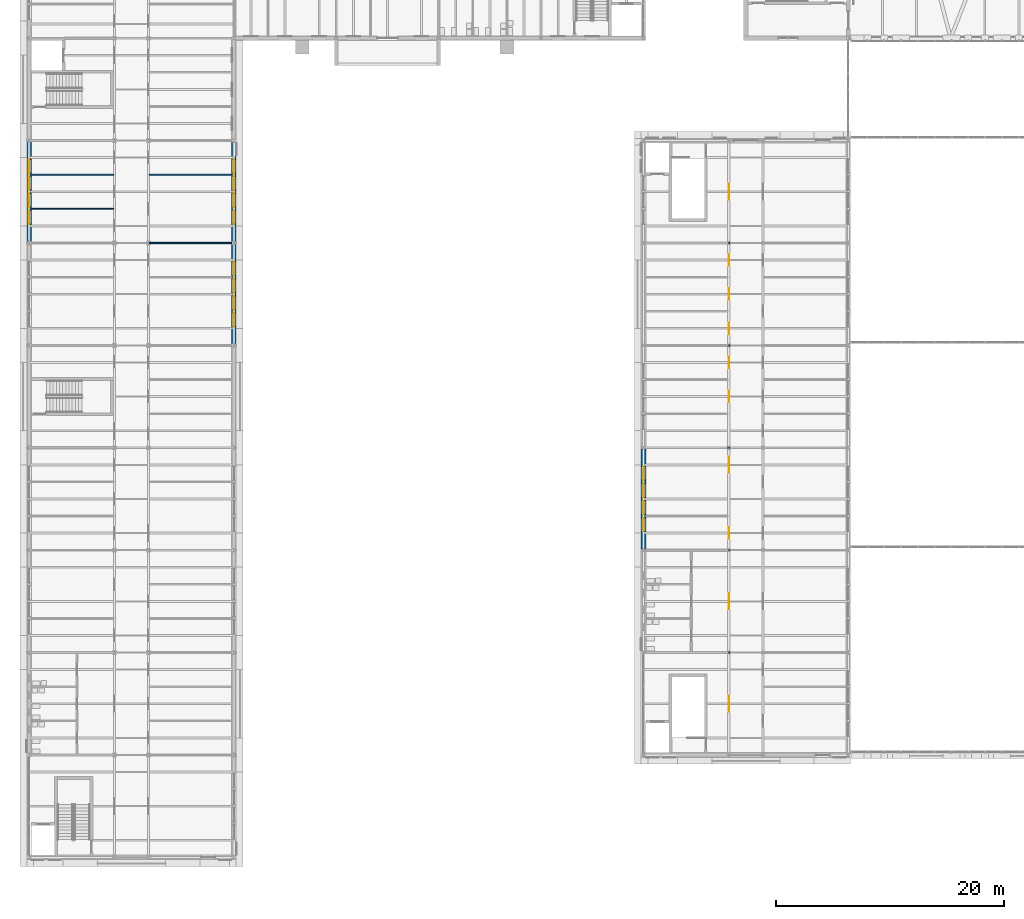
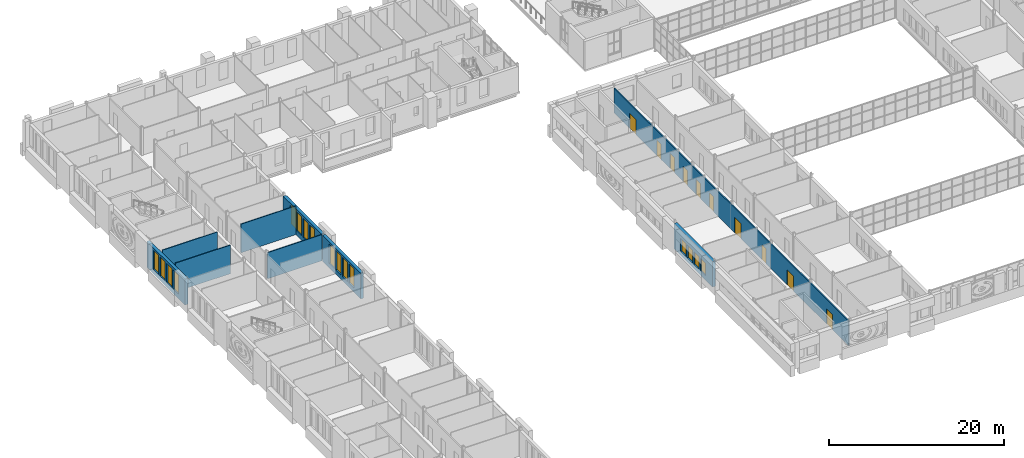
# One storey, part 103 of 154: 16 windows, 10 doors, 9 walls, 26 openings.
"""IFC4 building model written with IfcOpenShell, lengths in metres."""

from ifc_helpers import new_model, si_unit, direction, frame, frame_2d, origin, place, context, subcontext, project, spatial, rectangle, extrude, material, layer, layer_set, type_object, element, fill, save


model = new_model("IFC4")

# Units and contexts
model_context = context("Model", 3, precision=1e-05, world=origin(), true_north=direction((0.0, 1.0)))
body_context = subcontext(model_context, "Body", "Model", "MODEL_VIEW")
ifc_project = project(units=[si_unit("LENGTHUNIT", "METRE"), si_unit("AREAUNIT", "SQUARE_METRE"), si_unit("VOLUMEUNIT", "CUBIC_METRE"), si_unit("PLANEANGLEUNIT", "RADIAN"), si_unit("MASSUNIT", "GRAM", prefix="KILO")], contexts=[model_context])

# Site, building, storey
site_placement = place(None, origin())
site = spatial("IfcSite", under=ifc_project, at=site_placement, CompositionType="ELEMENT")
building_placement = place(site_placement, origin())
building = spatial("IfcBuilding", under=site, at=building_placement, Name="Golden Quay Civic Hall", CompositionType="ELEMENT")
storey_placement = place(building_placement, frame((0.0, 0.0, 14.39990234375)))
storey = spatial("IfcBuildingStorey", under=building, at=storey_placement, Name="L03", CompositionType="ELEMENT", Elevation=14.39990234375)

# Walls
ifc_material_1 = material(Name="Plasterboard on steel studs", Category="steel")
ifc_layer_1 = layer(ifc_material_1, 0.10009765625)
ifc_layer_set_1 = layer_set([ifc_layer_1], Name="Partition 100 stud")
wall_type_1 = type_object("IfcWallType", Name="Partition 100 stud", PredefinedType="PARTITIONING", material=ifc_layer_set_1)
for number, where, z_axis, x_axis, name in (
    (1, (0.199951171875, 48.0, 0.0), (0.0, 0.0, 1.0), (1.0, 0.0, 0.0), "Partition L03-009"),
    (2, (0.199951171875, 51.0, 0.0), (0.0, 0.0, 1.0), (1.0, 0.0, 0.0), "Partition L03-010"),
):
    element("IfcWall", number, at=place(storey_placement, frame(where, z_axis=z_axis, x_axis=x_axis)), inside=storey, type_object=wall_type_1, Name=name, PredefinedType="PARTITIONING", context=body_context, shape_type="SweptSolid", body=[
        extrude(rectangle(XDim=7.22509765625, YDim=0.10009765625, at=frame_2d((3.612548828125, 0.0))), origin(), (0.0, 0.0, 1.0), 4.0),
    ])
wall_1_placement = place(storey_placement, frame((10.574951171875, 45.0, 0.0), z_axis=(0.0, 0.0, 1.0), x_axis=(1.0, 0.0, 0.0)))
element("IfcWall", 3, at=wall_1_placement, inside=storey, type_object=wall_type_1, Name="Partition L03-023", PredefinedType="PARTITIONING", context=body_context, shape_type="SweptSolid", body=[
    extrude(rectangle(XDim=7.22509765625, YDim=0.10009765625, at=frame_2d((3.612548828125, 0.0))), origin(), (0.0, 0.0, 1.0), 3.650146484375),
])
wall_2_placement = place(storey_placement, frame((10.574951171875, 51.0, 0.0), z_axis=(0.0, 0.0, 1.0), x_axis=(1.0, 0.0, 0.0)))
element("IfcWall", 4, at=wall_2_placement, inside=storey, type_object=wall_type_1, Name="Partition L03-024", PredefinedType="PARTITIONING", context=body_context, shape_type="SweptSolid", body=[
    extrude(rectangle(XDim=7.22509765625, YDim=0.10009765625, at=frame_2d((3.612548828125, 0.0))), origin(), (0.0, 0.0, 1.0), 4.0),
])

# Wall, openings, doors
ifc_material_2 = material(Name="Plasterboard on steel studs", Category="steel")
ifc_layer_2 = layer(ifc_material_2, 0.14990234375)
ifc_layer_set_2 = layer_set([ifc_layer_2], Name="Partition 150 stud fire EI 60")
wall_type_2 = type_object("IfcWallType", Name="Partition 150 stud fire EI 60", PredefinedType="PARTITIONING", material=ifc_layer_set_2)
wall_3_placement = place(storey_placement, frame((61.5, 0.199951171875, 0.0), z_axis=(0.0, 0.0, 1.0), x_axis=(0.0, 1.0, 0.0)))
wall_3 = element("IfcWall", 5, at=wall_3_placement, inside=storey, type_object=wall_type_2, Name="Partition L03-019", PredefinedType="PARTITIONING", context=body_context, shape_type="SweptSolid", body=[
    extrude(rectangle(XDim=53.60009765625, YDim=0.14990234375, at=frame_2d((26.800048828125, 0.0))), origin(), (0.0, 0.0, 1.0), 3.43017578125),
])
opening_1_placement = place(wall_3_placement, frame((18.800048828125, 0.0, 0.0)))
opening_1 = element("IfcOpeningElement", 6, at=opening_1_placement, cuts=wall_3, Name="Opening L03-D075", PredefinedType="OPENING", context=body_context, shape_type="SweptSolid", body=[
    extrude(rectangle(XDim=1.0, YDim=2.10009765625, at=frame_2d((0.5, 1.050048828125))), frame((0.0, 0.0849609375, 0.0), z_axis=(0.0, -1.0, 0.0), x_axis=(1.0, 0.0, 0.0)), (0.0, 0.0, 1.0), 0.169921875),
])
opening_2_placement = place(wall_3_placement, frame((24.60009765625, 0.0, 0.0)))
opening_2 = element("IfcOpeningElement", 7, at=opening_2_placement, cuts=wall_3, Name="Opening L03-D076", PredefinedType="OPENING", context=body_context, shape_type="SweptSolid", body=[
    extrude(rectangle(XDim=1.39990234375, YDim=2.10009765625, at=frame_2d((0.699951171875, 1.050048828125))), frame((0.0, 0.0849609375, 0.0), z_axis=(0.0, -1.0, 0.0), x_axis=(1.0, 0.0, 0.0)), (0.0, 0.0, 1.0), 0.169921875),
])
opening_3_placement = place(wall_3_placement, frame((30.800048828125, 0.0, 0.0)))
opening_3 = element("IfcOpeningElement", 8, at=opening_3_placement, cuts=wall_3, Name="Opening L03-D077", PredefinedType="OPENING", context=body_context, shape_type="SweptSolid", body=[
    extrude(rectangle(XDim=1.0, YDim=2.10009765625, at=frame_2d((0.5, 1.050048828125))), frame((0.0, 0.0849609375, 0.0), z_axis=(0.0, -1.0, 0.0), x_axis=(1.0, 0.0, 0.0)), (0.0, 0.0, 1.0), 0.169921875),
])
opening_4_placement = place(wall_3_placement, frame((33.800048828125, 0.0, 0.0)))
opening_4 = element("IfcOpeningElement", 9, at=opening_4_placement, cuts=wall_3, Name="Opening L03-D078", PredefinedType="OPENING", context=body_context, shape_type="SweptSolid", body=[
    extrude(rectangle(XDim=1.0, YDim=2.10009765625, at=frame_2d((0.5, 1.050048828125))), frame((0.0, 0.0849609375, 0.0), z_axis=(0.0, -1.0, 0.0), x_axis=(1.0, 0.0, 0.0)), (0.0, 0.0, 1.0), 0.169921875),
])
opening_5_placement = place(wall_3_placement, frame((36.800048828125, 0.0, 0.0)))
opening_5 = element("IfcOpeningElement", 10, at=opening_5_placement, cuts=wall_3, Name="Opening L03-D079", PredefinedType="OPENING", context=body_context, shape_type="SweptSolid", body=[
    extrude(rectangle(XDim=1.0, YDim=2.10009765625, at=frame_2d((0.5, 1.050048828125))), frame((0.0, 0.0849609375, 0.0), z_axis=(0.0, -1.0, 0.0), x_axis=(1.0, 0.0, 0.0)), (0.0, 0.0, 1.0), 0.169921875),
])
opening_6_placement = place(wall_3_placement, frame((39.800048828125, 0.0, 0.0)))
opening_6 = element("IfcOpeningElement", 11, at=opening_6_placement, cuts=wall_3, Name="Opening L03-D080", PredefinedType="OPENING", context=body_context, shape_type="SweptSolid", body=[
    extrude(rectangle(XDim=1.0, YDim=2.10009765625, at=frame_2d((0.5, 1.050048828125))), frame((0.0, 0.0849609375, 0.0), z_axis=(0.0, -1.0, 0.0), x_axis=(1.0, 0.0, 0.0)), (0.0, 0.0, 1.0), 0.169921875),
])
opening_7_placement = place(wall_3_placement, frame((42.800048828125, 0.0, 0.0)))
opening_7 = element("IfcOpeningElement", 12, at=opening_7_placement, cuts=wall_3, Name="Opening L03-D081", PredefinedType="OPENING", context=body_context, shape_type="SweptSolid", body=[
    extrude(rectangle(XDim=1.0, YDim=2.10009765625, at=frame_2d((0.5, 1.050048828125))), frame((0.0, 0.0849609375, 0.0), z_axis=(0.0, -1.0, 0.0), x_axis=(1.0, 0.0, 0.0)), (0.0, 0.0, 1.0), 0.169921875),
])
opening_8_placement = place(wall_3_placement, frame((12.60009765625, 0.0, 0.0)))
opening_8 = element("IfcOpeningElement", 13, at=opening_8_placement, cuts=wall_3, Name="Opening L03-D093", PredefinedType="OPENING", context=body_context, shape_type="SweptSolid", body=[
    extrude(rectangle(XDim=1.39990234375, YDim=2.10009765625, at=frame_2d((0.699951171875, 1.050048828125))), frame((0.0, 0.0849609375, 0.0), z_axis=(0.0, -1.0, 0.0), x_axis=(1.0, 0.0, 0.0)), (0.0, 0.0, 1.0), 0.169921875),
])
opening_9_placement = place(wall_3_placement, frame((3.60009765625, 0.0, 0.0)))
opening_9 = element("IfcOpeningElement", 14, at=opening_9_placement, cuts=wall_3, Name="Opening L03-D098", PredefinedType="OPENING", context=body_context, shape_type="SweptSolid", body=[
    extrude(rectangle(XDim=1.39990234375, YDim=2.10009765625, at=frame_2d((0.699951171875, 1.050048828125))), frame((0.0, 0.0849609375, 0.0), z_axis=(0.0, -1.0, 0.0), x_axis=(1.0, 0.0, 0.0)), (0.0, 0.0, 1.0), 0.169921875),
])
opening_10_placement = place(wall_3_placement, frame((48.60009765625, 0.0, 0.0)))
opening_10 = element("IfcOpeningElement", 15, at=opening_10_placement, cuts=wall_3, Name="Opening L03-D100", PredefinedType="OPENING", context=body_context, shape_type="SweptSolid", body=[
    extrude(rectangle(XDim=1.39990234375, YDim=2.10009765625, at=frame_2d((0.699951171875, 1.050048828125))), frame((0.0, 0.0849609375, 0.0), z_axis=(0.0, -1.0, 0.0), x_axis=(1.0, 0.0, 0.0)), (0.0, 0.0, 1.0), 0.169921875),
])
ifc_material_3 = material(Name="Steel", Category="steel")
door_type_1 = type_object("IfcDoorType", Name="Steel double fire door FD30S 1400 x 2100", OperationType="DOUBLE_DOOR_SINGLE_SWING", PredefinedType="DOOR", material=ifc_material_3)
door_1_placement = place(opening_2_placement, origin())
door_1 = element("IfcDoor", 16, at=door_1_placement, inside=storey, type_object=door_type_1, Name="Door L03-D076", OperationType="DOUBLE_DOOR_SINGLE_SWING", OverallHeight=2.10009765625, OverallWidth=1.39990234375, PredefinedType="DOOR", context=body_context, shape_type="SweptSolid", body=[
    extrude(rectangle(XDim=1.39990234375, YDim=2.10009765625, at=frame_2d((0.699951171875, 1.050048828125))), frame((0.0, 0.02490234375, 0.0), z_axis=(0.0, -1.0, 0.0), x_axis=(1.0, 0.0, 0.0)), (0.0, 0.0, 1.0), 0.050048828125),
])
fill(opening_2, door_1)
door_2_placement = place(opening_8_placement, origin())
door_2 = element("IfcDoor", 17, at=door_2_placement, inside=storey, type_object=door_type_1, Name="Door L03-D093", OperationType="DOUBLE_DOOR_SINGLE_SWING", OverallHeight=2.10009765625, OverallWidth=1.39990234375, PredefinedType="DOOR", context=body_context, shape_type="SweptSolid", body=[
    extrude(rectangle(XDim=1.39990234375, YDim=2.10009765625, at=frame_2d((0.699951171875, 1.050048828125))), frame((0.0, 0.02490234375, 0.0), z_axis=(0.0, -1.0, 0.0), x_axis=(1.0, 0.0, 0.0)), (0.0, 0.0, 1.0), 0.050048828125),
])
fill(opening_8, door_2)
door_3_placement = place(opening_9_placement, frame((1.39990234375, 0.0, 0.0), z_axis=(0.0, 0.0, 1.0), x_axis=(-1.0, 0.0, 0.0)))
door_3 = element("IfcDoor", 18, at=door_3_placement, inside=storey, type_object=door_type_1, Name="Door L03-D098", OperationType="DOUBLE_DOOR_SINGLE_SWING", OverallHeight=2.10009765625, OverallWidth=1.39990234375, PredefinedType="DOOR", context=body_context, shape_type="SweptSolid", body=[
    extrude(rectangle(XDim=1.39990234375, YDim=2.10009765625, at=frame_2d((0.699951171875, 1.050048828125))), frame((0.0, 0.025146484375, 0.0), z_axis=(0.0, -1.0, 0.0), x_axis=(1.0, 0.0, 0.0)), (0.0, 0.0, 1.0), 0.050048828125),
])
fill(opening_9, door_3)
door_4_placement = place(opening_10_placement, frame((1.39990234375, 0.0, 0.0), z_axis=(0.0, 0.0, 1.0), x_axis=(-1.0, 0.0, 0.0)))
door_4 = element("IfcDoor", 19, at=door_4_placement, inside=storey, type_object=door_type_1, Name="Door L03-D100", OperationType="DOUBLE_DOOR_SINGLE_SWING", OverallHeight=2.10009765625, OverallWidth=1.39990234375, PredefinedType="DOOR", context=body_context, shape_type="SweptSolid", body=[
    extrude(rectangle(XDim=1.39990234375, YDim=2.10009765625, at=frame_2d((0.699951171875, 1.050048828125))), frame((0.0, 0.025146484375, 0.0), z_axis=(0.0, -1.0, 0.0), x_axis=(1.0, 0.0, 0.0)), (0.0, 0.0, 1.0), 0.050048828125),
])
fill(opening_10, door_4)
ifc_material_4 = material(Name="Steel", Category="steel")
door_type_2 = type_object("IfcDoorType", Name="Steel fire door FD30S 1000 x 2100", OperationType="SINGLE_SWING_LEFT", PredefinedType="DOOR", material=ifc_material_4)
door_5_placement = place(opening_1_placement, origin())
door_5 = element("IfcDoor", 20, at=door_5_placement, inside=storey, type_object=door_type_2, Name="Door L03-D075", OperationType="SINGLE_SWING_LEFT", OverallHeight=2.10009765625, OverallWidth=1.0, PredefinedType="DOOR", context=body_context, shape_type="SweptSolid", body=[
    extrude(rectangle(XDim=1.0, YDim=2.10009765625, at=frame_2d((0.5, 1.050048828125))), frame((0.0, 0.02490234375, 0.0), z_axis=(0.0, -1.0, 0.0), x_axis=(1.0, 0.0, 0.0)), (0.0, 0.0, 1.0), 0.050048828125),
])
fill(opening_1, door_5)
door_6_placement = place(opening_3_placement, origin())
door_6 = element("IfcDoor", 21, at=door_6_placement, inside=storey, type_object=door_type_2, Name="Door L03-D077", OperationType="SINGLE_SWING_LEFT", OverallHeight=2.10009765625, OverallWidth=1.0, PredefinedType="DOOR", context=body_context, shape_type="SweptSolid", body=[
    extrude(rectangle(XDim=1.0, YDim=2.10009765625, at=frame_2d((0.5, 1.050048828125))), frame((0.0, 0.02490234375, 0.0), z_axis=(0.0, -1.0, 0.0), x_axis=(1.0, 0.0, 0.0)), (0.0, 0.0, 1.0), 0.050048828125),
])
fill(opening_3, door_6)
door_7_placement = place(opening_4_placement, origin())
door_7 = element("IfcDoor", 22, at=door_7_placement, inside=storey, type_object=door_type_2, Name="Door L03-D078", OperationType="SINGLE_SWING_LEFT", OverallHeight=2.10009765625, OverallWidth=1.0, PredefinedType="DOOR", context=body_context, shape_type="SweptSolid", body=[
    extrude(rectangle(XDim=1.0, YDim=2.10009765625, at=frame_2d((0.5, 1.050048828125))), frame((0.0, 0.02490234375, 0.0), z_axis=(0.0, -1.0, 0.0), x_axis=(1.0, 0.0, 0.0)), (0.0, 0.0, 1.0), 0.050048828125),
])
fill(opening_4, door_7)
door_8_placement = place(opening_5_placement, origin())
door_8 = element("IfcDoor", 23, at=door_8_placement, inside=storey, type_object=door_type_2, Name="Door L03-D079", OperationType="SINGLE_SWING_LEFT", OverallHeight=2.10009765625, OverallWidth=1.0, PredefinedType="DOOR", context=body_context, shape_type="SweptSolid", body=[
    extrude(rectangle(XDim=1.0, YDim=2.10009765625, at=frame_2d((0.5, 1.050048828125))), frame((0.0, 0.02490234375, 0.0), z_axis=(0.0, -1.0, 0.0), x_axis=(1.0, 0.0, 0.0)), (0.0, 0.0, 1.0), 0.050048828125),
])
fill(opening_5, door_8)
door_9_placement = place(opening_6_placement, origin())
door_9 = element("IfcDoor", 24, at=door_9_placement, inside=storey, type_object=door_type_2, Name="Door L03-D080", OperationType="SINGLE_SWING_LEFT", OverallHeight=2.10009765625, OverallWidth=1.0, PredefinedType="DOOR", context=body_context, shape_type="SweptSolid", body=[
    extrude(rectangle(XDim=1.0, YDim=2.10009765625, at=frame_2d((0.5, 1.050048828125))), frame((0.0, 0.02490234375, 0.0), z_axis=(0.0, -1.0, 0.0), x_axis=(1.0, 0.0, 0.0)), (0.0, 0.0, 1.0), 0.050048828125),
])
fill(opening_6, door_9)
door_10_placement = place(opening_7_placement, origin())
door_10 = element("IfcDoor", 25, at=door_10_placement, inside=storey, type_object=door_type_2, Name="Door L03-D081", OperationType="SINGLE_SWING_LEFT", OverallHeight=2.10009765625, OverallWidth=1.0, PredefinedType="DOOR", context=body_context, shape_type="SweptSolid", body=[
    extrude(rectangle(XDim=1.0, YDim=2.10009765625, at=frame_2d((0.5, 1.050048828125))), frame((0.0, 0.02490234375, 0.0), z_axis=(0.0, -1.0, 0.0), x_axis=(1.0, 0.0, 0.0)), (0.0, 0.0, 1.0), 0.050048828125),
])
fill(opening_7, door_10)

# Wall, openings, windows
ifc_material_5 = material(Name="Clay block, rendered, cream")
ifc_layer_3 = layer(ifc_material_5, 0.39990234375)
ifc_layer_set_3 = layer_set([ifc_layer_3], Name="Rendered block external wall 400")
wall_type_3 = type_object("IfcWallType", Name="Rendered block external wall 400", PredefinedType="STANDARD", material=ifc_layer_set_3)
wall_4_placement = place(storey_placement, frame((0.0, 45.135009765625, 0.0), z_axis=(0.0, 0.0, 1.0), x_axis=(0.0, 1.0, 0.0)))
wall_4 = element("IfcWall", 26, at=wall_4_placement, inside=storey, type_object=wall_type_3, Name="Rendered block external wall 400 L03 5", PredefinedType="STANDARD", context=body_context, shape_type="SweptSolid", body=[
    extrude(rectangle(XDim=8.72998046875, YDim=0.39990234375, at=frame_2d((4.364990234375, 0.0))), origin(), (0.0, 0.0, 1.0), 3.60009765625),
])
opening_11_placement = place(wall_4_placement, frame((1.514892578125, 0.0, 0.60009765625)))
opening_11 = element("IfcOpeningElement", 27, at=opening_11_placement, cuts=wall_4, Name="Opening WN8", PredefinedType="OPENING", context=body_context, shape_type="SweptSolid", body=[
    extrude(rectangle(XDim=1.199951171875, YDim=2.699951171875, at=frame_2d((0.60009765625, 1.35009765625))), frame((0.0, 0.2099609375, 0.0), z_axis=(0.0, -1.0, 0.0), x_axis=(1.0, 0.0, 0.0)), (0.0, 0.0, 1.0), 0.419921875),
])
opening_12_placement = place(wall_4_placement, frame((3.014892578125, 0.0, 0.60009765625)))
opening_12 = element("IfcOpeningElement", 28, at=opening_12_placement, cuts=wall_4, Name="Opening WN8", PredefinedType="OPENING", context=body_context, shape_type="SweptSolid", body=[
    extrude(rectangle(XDim=1.199951171875, YDim=2.699951171875, at=frame_2d((0.60009765625, 1.35009765625))), frame((0.0, 0.2099609375, 0.0), z_axis=(0.0, -1.0, 0.0), x_axis=(1.0, 0.0, 0.0)), (0.0, 0.0, 1.0), 0.419921875),
])
opening_13_placement = place(wall_4_placement, frame((4.514892578125, 0.0, 0.60009765625)))
opening_13 = element("IfcOpeningElement", 29, at=opening_13_placement, cuts=wall_4, Name="Opening WN8", PredefinedType="OPENING", context=body_context, shape_type="SweptSolid", body=[
    extrude(rectangle(XDim=1.199951171875, YDim=2.699951171875, at=frame_2d((0.60009765625, 1.35009765625))), frame((0.0, 0.2099609375, 0.0), z_axis=(0.0, -1.0, 0.0), x_axis=(1.0, 0.0, 0.0)), (0.0, 0.0, 1.0), 0.419921875),
])
opening_14_placement = place(wall_4_placement, frame((6.014892578125, 0.0, 0.60009765625)))
opening_14 = element("IfcOpeningElement", 30, at=opening_14_placement, cuts=wall_4, Name="Opening WN8", PredefinedType="OPENING", context=body_context, shape_type="SweptSolid", body=[
    extrude(rectangle(XDim=1.199951171875, YDim=2.699951171875, at=frame_2d((0.60009765625, 1.35009765625))), frame((0.0, 0.2099609375, 0.0), z_axis=(0.0, -1.0, 0.0), x_axis=(1.0, 0.0, 0.0)), (0.0, 0.0, 1.0), 0.419921875),
])
ifc_material_6 = material(Name="Aluminium frame, double glazed", Category="aluminium")
window_type_1 = type_object("IfcWindowType", Name="Golden grid window 1200 x 2700", PartitioningType="SINGLE_PANEL", PredefinedType="WINDOW", material=ifc_material_6)
window_1_placement = place(opening_11_placement, origin())
window_1 = element("IfcWindow", 31, at=window_1_placement, inside=storey, type_object=window_type_1, Name="Golden grid window 1200 x 2700 L03 13", OverallHeight=2.699951171875, OverallWidth=1.199951171875, PartitioningType="SINGLE_PANEL", PredefinedType="WINDOW", context=body_context, shape_type="SweptSolid", body=[
    extrude(rectangle(XDim=1.199951171875, YDim=2.699951171875, at=frame_2d((0.60009765625, 1.35009765625))), frame((0.0, 0.030029296875, 0.0), z_axis=(0.0, -1.0, 0.0), x_axis=(1.0, 0.0, 0.0)), (0.0, 0.0, 1.0), 0.06005859375),
])
fill(opening_11, window_1)
window_2_placement = place(opening_12_placement, origin())
window_2 = element("IfcWindow", 32, at=window_2_placement, inside=storey, type_object=window_type_1, Name="Golden grid window 1200 x 2700 L03 14", OverallHeight=2.699951171875, OverallWidth=1.199951171875, PartitioningType="SINGLE_PANEL", PredefinedType="WINDOW", context=body_context, shape_type="SweptSolid", body=[
    extrude(rectangle(XDim=1.199951171875, YDim=2.699951171875, at=frame_2d((0.60009765625, 1.35009765625))), frame((0.0, 0.030029296875, 0.0), z_axis=(0.0, -1.0, 0.0), x_axis=(1.0, 0.0, 0.0)), (0.0, 0.0, 1.0), 0.06005859375),
])
fill(opening_12, window_2)
window_3_placement = place(opening_13_placement, origin())
window_3 = element("IfcWindow", 33, at=window_3_placement, inside=storey, type_object=window_type_1, Name="Golden grid window 1200 x 2700 L03 15", OverallHeight=2.699951171875, OverallWidth=1.199951171875, PartitioningType="SINGLE_PANEL", PredefinedType="WINDOW", context=body_context, shape_type="SweptSolid", body=[
    extrude(rectangle(XDim=1.199951171875, YDim=2.699951171875, at=frame_2d((0.60009765625, 1.35009765625))), frame((0.0, 0.030029296875, 0.0), z_axis=(0.0, -1.0, 0.0), x_axis=(1.0, 0.0, 0.0)), (0.0, 0.0, 1.0), 0.06005859375),
])
fill(opening_13, window_3)
window_4_placement = place(opening_14_placement, origin())
window_4 = element("IfcWindow", 34, at=window_4_placement, inside=storey, type_object=window_type_1, Name="Golden grid window 1200 x 2700 L03 16", OverallHeight=2.699951171875, OverallWidth=1.199951171875, PartitioningType="SINGLE_PANEL", PredefinedType="WINDOW", context=body_context, shape_type="SweptSolid", body=[
    extrude(rectangle(XDim=1.199951171875, YDim=2.699951171875, at=frame_2d((0.60009765625, 1.35009765625))), frame((0.0, 0.030029296875, 0.0), z_axis=(0.0, -1.0, 0.0), x_axis=(1.0, 0.0, 0.0)), (0.0, 0.0, 1.0), 0.06005859375),
])
fill(opening_14, window_4)

wall_5_placement = place(storey_placement, frame((18.0, 44.864990234375, 0.0), z_axis=(0.0, 0.0, 1.0), x_axis=(0.0, -1.0, 0.0)))
wall_5 = element("IfcWall", 35, at=wall_5_placement, inside=storey, type_object=wall_type_3, Name="Rendered block external wall 400 L03 17", PredefinedType="STANDARD", context=body_context, shape_type="SweptSolid", body=[
    extrude(rectangle(XDim=8.72998046875, YDim=0.39990234375, at=frame_2d((4.364990234375, 0.0))), origin(), (0.0, 0.0, 1.0), 3.60009765625),
])
opening_15_placement = place(wall_5_placement, frame((6.014892578125, 0.0, 0.60009765625)))
opening_15 = element("IfcOpeningElement", 36, at=opening_15_placement, cuts=wall_5, Name="Opening WN8", PredefinedType="OPENING", context=body_context, shape_type="SweptSolid", body=[
    extrude(rectangle(XDim=1.199951171875, YDim=2.699951171875, at=frame_2d((0.60009765625, 1.35009765625))), frame((0.0, 0.2099609375, 0.0), z_axis=(0.0, -1.0, 0.0), x_axis=(1.0, 0.0, 0.0)), (0.0, 0.0, 1.0), 0.419921875),
])
opening_16_placement = place(wall_5_placement, frame((4.514892578125, 0.0, 0.60009765625)))
opening_16 = element("IfcOpeningElement", 37, at=opening_16_placement, cuts=wall_5, Name="Opening WN8", PredefinedType="OPENING", context=body_context, shape_type="SweptSolid", body=[
    extrude(rectangle(XDim=1.199951171875, YDim=2.699951171875, at=frame_2d((0.60009765625, 1.35009765625))), frame((0.0, 0.2099609375, 0.0), z_axis=(0.0, -1.0, 0.0), x_axis=(1.0, 0.0, 0.0)), (0.0, 0.0, 1.0), 0.419921875),
])
opening_17_placement = place(wall_5_placement, frame((3.014892578125, 0.0, 0.60009765625)))
opening_17 = element("IfcOpeningElement", 38, at=opening_17_placement, cuts=wall_5, Name="Opening WN8", PredefinedType="OPENING", context=body_context, shape_type="SweptSolid", body=[
    extrude(rectangle(XDim=1.199951171875, YDim=2.699951171875, at=frame_2d((0.60009765625, 1.35009765625))), frame((0.0, 0.2099609375, 0.0), z_axis=(0.0, -1.0, 0.0), x_axis=(1.0, 0.0, 0.0)), (0.0, 0.0, 1.0), 0.419921875),
])
opening_18_placement = place(wall_5_placement, frame((1.514892578125, 0.0, 0.60009765625)))
opening_18 = element("IfcOpeningElement", 39, at=opening_18_placement, cuts=wall_5, Name="Opening WN8", PredefinedType="OPENING", context=body_context, shape_type="SweptSolid", body=[
    extrude(rectangle(XDim=1.199951171875, YDim=2.699951171875, at=frame_2d((0.60009765625, 1.35009765625))), frame((0.0, 0.2099609375, 0.0), z_axis=(0.0, -1.0, 0.0), x_axis=(1.0, 0.0, 0.0)), (0.0, 0.0, 1.0), 0.419921875),
])
window_5_placement = place(opening_15_placement, origin())
window_5 = element("IfcWindow", 40, at=window_5_placement, inside=storey, type_object=window_type_1, Name="Golden grid window 1200 x 2700 L03 37", OverallHeight=2.699951171875, OverallWidth=1.199951171875, PartitioningType="SINGLE_PANEL", PredefinedType="WINDOW", context=body_context, shape_type="SweptSolid", body=[
    extrude(rectangle(XDim=1.199951171875, YDim=2.699951171875, at=frame_2d((0.60009765625, 1.35009765625))), frame((0.0, 0.030029296875, 0.0), z_axis=(0.0, -1.0, 0.0), x_axis=(1.0, 0.0, 0.0)), (0.0, 0.0, 1.0), 0.06005859375),
])
fill(opening_15, window_5)
window_6_placement = place(opening_16_placement, origin())
window_6 = element("IfcWindow", 41, at=window_6_placement, inside=storey, type_object=window_type_1, Name="Golden grid window 1200 x 2700 L03 38", OverallHeight=2.699951171875, OverallWidth=1.199951171875, PartitioningType="SINGLE_PANEL", PredefinedType="WINDOW", context=body_context, shape_type="SweptSolid", body=[
    extrude(rectangle(XDim=1.199951171875, YDim=2.699951171875, at=frame_2d((0.60009765625, 1.35009765625))), frame((0.0, 0.030029296875, 0.0), z_axis=(0.0, -1.0, 0.0), x_axis=(1.0, 0.0, 0.0)), (0.0, 0.0, 1.0), 0.06005859375),
])
fill(opening_16, window_6)
window_7_placement = place(opening_17_placement, origin())
window_7 = element("IfcWindow", 42, at=window_7_placement, inside=storey, type_object=window_type_1, Name="Golden grid window 1200 x 2700 L03 39", OverallHeight=2.699951171875, OverallWidth=1.199951171875, PartitioningType="SINGLE_PANEL", PredefinedType="WINDOW", context=body_context, shape_type="SweptSolid", body=[
    extrude(rectangle(XDim=1.199951171875, YDim=2.699951171875, at=frame_2d((0.60009765625, 1.35009765625))), frame((0.0, 0.030029296875, 0.0), z_axis=(0.0, -1.0, 0.0), x_axis=(1.0, 0.0, 0.0)), (0.0, 0.0, 1.0), 0.06005859375),
])
fill(opening_17, window_7)
window_8_placement = place(opening_18_placement, origin())
window_8 = element("IfcWindow", 43, at=window_8_placement, inside=storey, type_object=window_type_1, Name="Golden grid window 1200 x 2700 L03 40", OverallHeight=2.699951171875, OverallWidth=1.199951171875, PartitioningType="SINGLE_PANEL", PredefinedType="WINDOW", context=body_context, shape_type="SweptSolid", body=[
    extrude(rectangle(XDim=1.199951171875, YDim=2.699951171875, at=frame_2d((0.60009765625, 1.35009765625))), frame((0.0, 0.030029296875, 0.0), z_axis=(0.0, -1.0, 0.0), x_axis=(1.0, 0.0, 0.0)), (0.0, 0.0, 1.0), 0.06005859375),
])
fill(opening_18, window_8)

wall_6_placement = place(storey_placement, frame((18.0, 53.864990234375, 0.0), z_axis=(0.0, 0.0, 1.0), x_axis=(0.0, -1.0, 0.0)))
wall_6 = element("IfcWall", 44, at=wall_6_placement, inside=storey, type_object=wall_type_3, Name="Rendered block external wall 400 L03 18", PredefinedType="STANDARD", context=body_context, shape_type="SweptSolid", body=[
    extrude(rectangle(XDim=8.72998046875, YDim=0.39990234375, at=frame_2d((4.364990234375, 0.0))), origin(), (0.0, 0.0, 1.0), 3.60009765625),
])
opening_19_placement = place(wall_6_placement, frame((6.014892578125, 0.0, 0.60009765625)))
opening_19 = element("IfcOpeningElement", 45, at=opening_19_placement, cuts=wall_6, Name="Opening WN8", PredefinedType="OPENING", context=body_context, shape_type="SweptSolid", body=[
    extrude(rectangle(XDim=1.199951171875, YDim=2.699951171875, at=frame_2d((0.60009765625, 1.35009765625))), frame((0.0, 0.2099609375, 0.0), z_axis=(0.0, -1.0, 0.0), x_axis=(1.0, 0.0, 0.0)), (0.0, 0.0, 1.0), 0.419921875),
])
opening_20_placement = place(wall_6_placement, frame((4.514892578125, 0.0, 0.60009765625)))
opening_20 = element("IfcOpeningElement", 46, at=opening_20_placement, cuts=wall_6, Name="Opening WN8", PredefinedType="OPENING", context=body_context, shape_type="SweptSolid", body=[
    extrude(rectangle(XDim=1.199951171875, YDim=2.699951171875, at=frame_2d((0.60009765625, 1.35009765625))), frame((0.0, 0.2099609375, 0.0), z_axis=(0.0, -1.0, 0.0), x_axis=(1.0, 0.0, 0.0)), (0.0, 0.0, 1.0), 0.419921875),
])
opening_21_placement = place(wall_6_placement, frame((3.014892578125, 0.0, 0.60009765625)))
opening_21 = element("IfcOpeningElement", 47, at=opening_21_placement, cuts=wall_6, Name="Opening WN8", PredefinedType="OPENING", context=body_context, shape_type="SweptSolid", body=[
    extrude(rectangle(XDim=1.199951171875, YDim=2.699951171875, at=frame_2d((0.60009765625, 1.35009765625))), frame((0.0, 0.2099609375, 0.0), z_axis=(0.0, -1.0, 0.0), x_axis=(1.0, 0.0, 0.0)), (0.0, 0.0, 1.0), 0.419921875),
])
opening_22_placement = place(wall_6_placement, frame((1.514892578125, 0.0, 0.60009765625)))
opening_22 = element("IfcOpeningElement", 48, at=opening_22_placement, cuts=wall_6, Name="Opening WN8", PredefinedType="OPENING", context=body_context, shape_type="SweptSolid", body=[
    extrude(rectangle(XDim=1.199951171875, YDim=2.699951171875, at=frame_2d((0.60009765625, 1.35009765625))), frame((0.0, 0.2099609375, 0.0), z_axis=(0.0, -1.0, 0.0), x_axis=(1.0, 0.0, 0.0)), (0.0, 0.0, 1.0), 0.419921875),
])
window_9_placement = place(opening_19_placement, origin())
window_9 = element("IfcWindow", 49, at=window_9_placement, inside=storey, type_object=window_type_1, Name="Golden grid window 1200 x 2700 L03 41", OverallHeight=2.699951171875, OverallWidth=1.199951171875, PartitioningType="SINGLE_PANEL", PredefinedType="WINDOW", context=body_context, shape_type="SweptSolid", body=[
    extrude(rectangle(XDim=1.199951171875, YDim=2.699951171875, at=frame_2d((0.60009765625, 1.35009765625))), frame((0.0, 0.030029296875, 0.0), z_axis=(0.0, -1.0, 0.0), x_axis=(1.0, 0.0, 0.0)), (0.0, 0.0, 1.0), 0.06005859375),
])
fill(opening_19, window_9)
window_10_placement = place(opening_20_placement, origin())
window_10 = element("IfcWindow", 50, at=window_10_placement, inside=storey, type_object=window_type_1, Name="Golden grid window 1200 x 2700 L03 42", OverallHeight=2.699951171875, OverallWidth=1.199951171875, PartitioningType="SINGLE_PANEL", PredefinedType="WINDOW", context=body_context, shape_type="SweptSolid", body=[
    extrude(rectangle(XDim=1.199951171875, YDim=2.699951171875, at=frame_2d((0.60009765625, 1.35009765625))), frame((0.0, 0.030029296875, 0.0), z_axis=(0.0, -1.0, 0.0), x_axis=(1.0, 0.0, 0.0)), (0.0, 0.0, 1.0), 0.06005859375),
])
fill(opening_20, window_10)
window_11_placement = place(opening_21_placement, origin())
window_11 = element("IfcWindow", 51, at=window_11_placement, inside=storey, type_object=window_type_1, Name="Golden grid window 1200 x 2700 L03 43", OverallHeight=2.699951171875, OverallWidth=1.199951171875, PartitioningType="SINGLE_PANEL", PredefinedType="WINDOW", context=body_context, shape_type="SweptSolid", body=[
    extrude(rectangle(XDim=1.199951171875, YDim=2.699951171875, at=frame_2d((0.60009765625, 1.35009765625))), frame((0.0, 0.030029296875, 0.0), z_axis=(0.0, -1.0, 0.0), x_axis=(1.0, 0.0, 0.0)), (0.0, 0.0, 1.0), 0.06005859375),
])
fill(opening_21, window_11)
window_12_placement = place(opening_22_placement, origin())
window_12 = element("IfcWindow", 52, at=window_12_placement, inside=storey, type_object=window_type_1, Name="Golden grid window 1200 x 2700 L03 44", OverallHeight=2.699951171875, OverallWidth=1.199951171875, PartitioningType="SINGLE_PANEL", PredefinedType="WINDOW", context=body_context, shape_type="SweptSolid", body=[
    extrude(rectangle(XDim=1.199951171875, YDim=2.699951171875, at=frame_2d((0.60009765625, 1.35009765625))), frame((0.0, 0.030029296875, 0.0), z_axis=(0.0, -1.0, 0.0), x_axis=(1.0, 0.0, 0.0)), (0.0, 0.0, 1.0), 0.06005859375),
])
fill(opening_22, window_12)

wall_7_placement = place(storey_placement, frame((54.0, 18.094970703125, 0.0), z_axis=(0.0, 0.0, 1.0), x_axis=(0.0, 1.0, 0.0)))
wall_7 = element("IfcWall", 53, at=wall_7_placement, inside=storey, type_object=wall_type_3, Name="Rendered block external wall 400 L03 22", PredefinedType="STANDARD", context=body_context, shape_type="SweptSolid", body=[
    extrude(rectangle(XDim=8.81005859375, YDim=0.39990234375, at=frame_2d((4.405029296875, 0.0))), origin(), (0.0, 0.0, 1.0), 3.550048828125),
])
opening_23_placement = place(wall_7_placement, frame((1.554931640625, 0.0, 0.60009765625)))
opening_23 = element("IfcOpeningElement", 54, at=opening_23_placement, cuts=wall_7, Name="Opening WN10", PredefinedType="OPENING", context=body_context, shape_type="SweptSolid", body=[
    extrude(rectangle(XDim=1.199951171875, YDim=1.800048828125, at=frame_2d((0.60009765625, 0.89990234375))), frame((0.0, 0.2099609375, 0.0), z_axis=(0.0, -1.0, 0.0), x_axis=(1.0, 0.0, 0.0)), (0.0, 0.0, 1.0), 0.419921875),
])
opening_24_placement = place(wall_7_placement, frame((3.054931640625, 0.0, 0.60009765625)))
opening_24 = element("IfcOpeningElement", 55, at=opening_24_placement, cuts=wall_7, Name="Opening WN10", PredefinedType="OPENING", context=body_context, shape_type="SweptSolid", body=[
    extrude(rectangle(XDim=1.199951171875, YDim=1.800048828125, at=frame_2d((0.60009765625, 0.89990234375))), frame((0.0, 0.2099609375, 0.0), z_axis=(0.0, -1.0, 0.0), x_axis=(1.0, 0.0, 0.0)), (0.0, 0.0, 1.0), 0.419921875),
])
opening_25_placement = place(wall_7_placement, frame((4.554931640625, 0.0, 0.60009765625)))
opening_25 = element("IfcOpeningElement", 56, at=opening_25_placement, cuts=wall_7, Name="Opening WN10", PredefinedType="OPENING", context=body_context, shape_type="SweptSolid", body=[
    extrude(rectangle(XDim=1.199951171875, YDim=1.800048828125, at=frame_2d((0.60009765625, 0.89990234375))), frame((0.0, 0.2099609375, 0.0), z_axis=(0.0, -1.0, 0.0), x_axis=(1.0, 0.0, 0.0)), (0.0, 0.0, 1.0), 0.419921875),
])
opening_26_placement = place(wall_7_placement, frame((6.054931640625, 0.0, 0.60009765625)))
opening_26 = element("IfcOpeningElement", 57, at=opening_26_placement, cuts=wall_7, Name="Opening WN10", PredefinedType="OPENING", context=body_context, shape_type="SweptSolid", body=[
    extrude(rectangle(XDim=1.199951171875, YDim=1.800048828125, at=frame_2d((0.60009765625, 0.89990234375))), frame((0.0, 0.2099609375, 0.0), z_axis=(0.0, -1.0, 0.0), x_axis=(1.0, 0.0, 0.0)), (0.0, 0.0, 1.0), 0.419921875),
])
ifc_material_7 = material(Name="Aluminium frame, double glazed", Category="aluminium")
window_type_2 = type_object("IfcWindowType", Name="Golden grid window 1200 x 1800", PartitioningType="SINGLE_PANEL", PredefinedType="WINDOW", material=ifc_material_7)
window_13_placement = place(opening_23_placement, origin())
window_13 = element("IfcWindow", 58, at=window_13_placement, inside=storey, type_object=window_type_2, Name="Golden grid window 1200 x 1800 L03 1", OverallHeight=1.800048828125, OverallWidth=1.199951171875, PartitioningType="SINGLE_PANEL", PredefinedType="WINDOW", context=body_context, shape_type="SweptSolid", body=[
    extrude(rectangle(XDim=1.199951171875, YDim=1.800048828125, at=frame_2d((0.60009765625, 0.89990234375))), frame((0.0, 0.030029296875, 0.0), z_axis=(0.0, -1.0, 0.0), x_axis=(1.0, 0.0, 0.0)), (0.0, 0.0, 1.0), 0.06005859375),
])
fill(opening_23, window_13)
window_14_placement = place(opening_24_placement, origin())
window_14 = element("IfcWindow", 59, at=window_14_placement, inside=storey, type_object=window_type_2, Name="Golden grid window 1200 x 1800 L03 2", OverallHeight=1.800048828125, OverallWidth=1.199951171875, PartitioningType="SINGLE_PANEL", PredefinedType="WINDOW", context=body_context, shape_type="SweptSolid", body=[
    extrude(rectangle(XDim=1.199951171875, YDim=1.800048828125, at=frame_2d((0.60009765625, 0.89990234375))), frame((0.0, 0.030029296875, 0.0), z_axis=(0.0, -1.0, 0.0), x_axis=(1.0, 0.0, 0.0)), (0.0, 0.0, 1.0), 0.06005859375),
])
fill(opening_24, window_14)
window_15_placement = place(opening_25_placement, origin())
window_15 = element("IfcWindow", 60, at=window_15_placement, inside=storey, type_object=window_type_2, Name="Golden grid window 1200 x 1800 L03 3", OverallHeight=1.800048828125, OverallWidth=1.199951171875, PartitioningType="SINGLE_PANEL", PredefinedType="WINDOW", context=body_context, shape_type="SweptSolid", body=[
    extrude(rectangle(XDim=1.199951171875, YDim=1.800048828125, at=frame_2d((0.60009765625, 0.89990234375))), frame((0.0, 0.030029296875, 0.0), z_axis=(0.0, -1.0, 0.0), x_axis=(1.0, 0.0, 0.0)), (0.0, 0.0, 1.0), 0.06005859375),
])
fill(opening_25, window_15)
window_16_placement = place(opening_26_placement, origin())
window_16 = element("IfcWindow", 61, at=window_16_placement, inside=storey, type_object=window_type_2, Name="Golden grid window 1200 x 1800 L03 4", OverallHeight=1.800048828125, OverallWidth=1.199951171875, PartitioningType="SINGLE_PANEL", PredefinedType="WINDOW", context=body_context, shape_type="SweptSolid", body=[
    extrude(rectangle(XDim=1.199951171875, YDim=1.800048828125, at=frame_2d((0.60009765625, 0.89990234375))), frame((0.0, 0.030029296875, 0.0), z_axis=(0.0, -1.0, 0.0), x_axis=(1.0, 0.0, 0.0)), (0.0, 0.0, 1.0), 0.06005859375),
])
fill(opening_26, window_16)

save(model, "model.ifc")
